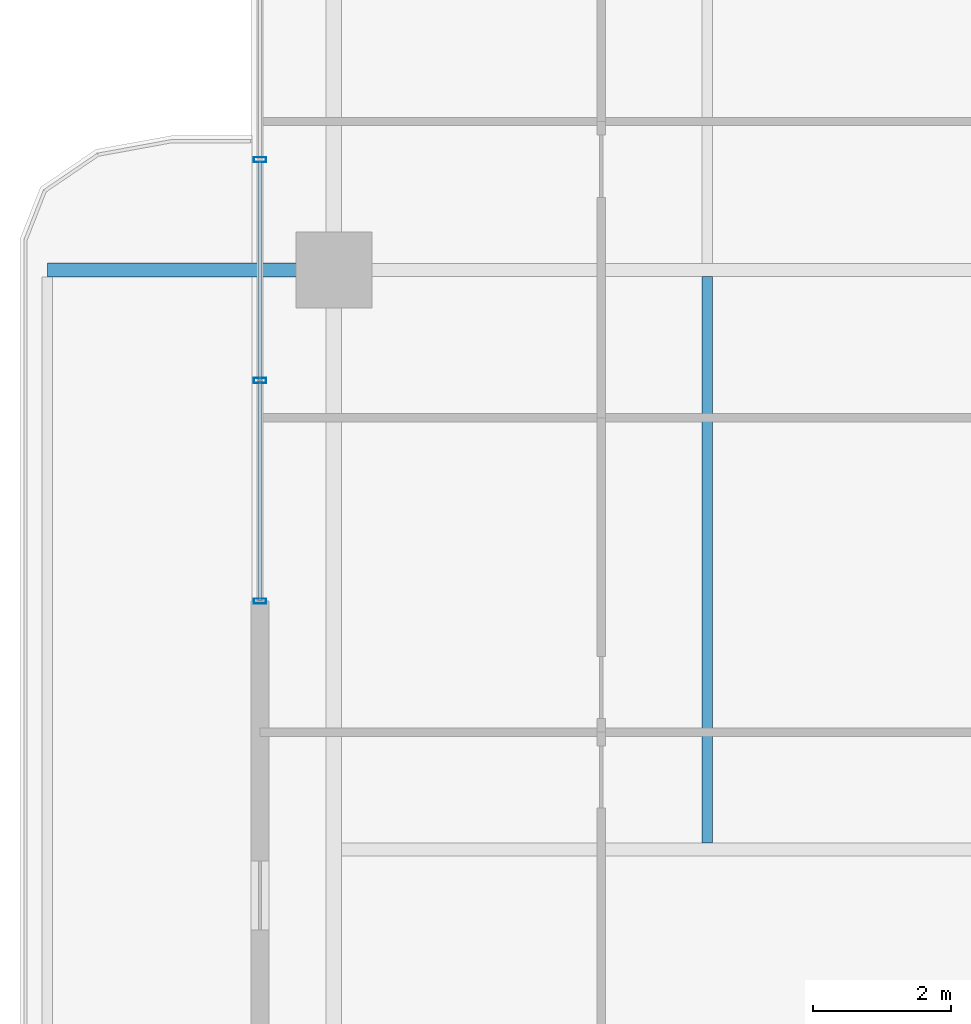
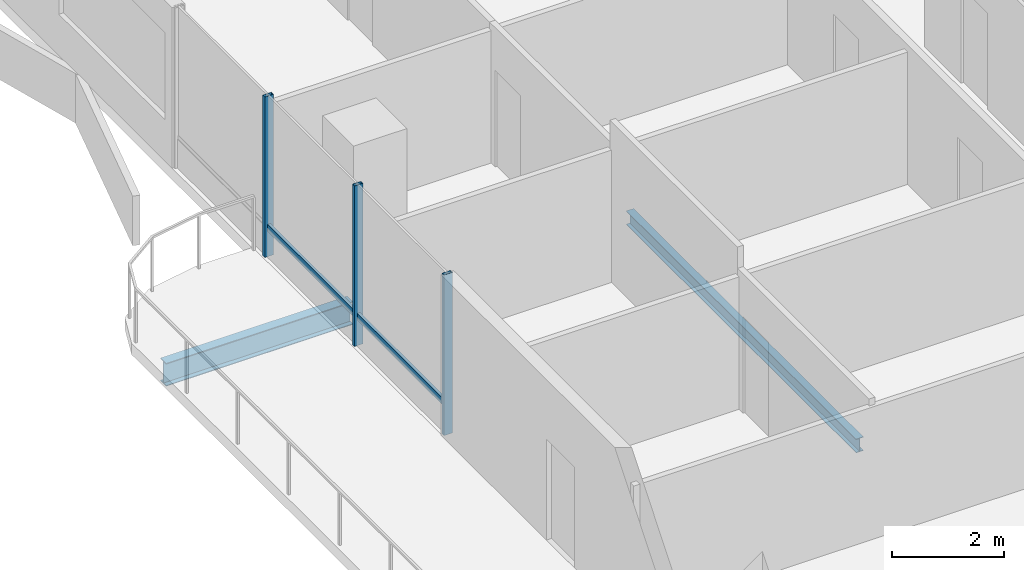
# One storey, part 4 of 24: 5 members, 2 beams, 1 element without a shape of its own.
"""IFC4 building model written with IfcOpenShell, lengths in metres."""

from ifc_helpers import new_model, si_unit, direction, frame, origin, origin_2d, place, context, subcontext, project, spatial, hollow_rectangle, i_section, extrude, material, layer, layer_set, material_profile, profile_set, type_object, element, aggregate, save


model = new_model("IFC4")

# Units and contexts
model_context = context("Model", 3, precision=1e-05, world=origin(), true_north=direction((0.0, 1.0)))
body_context = subcontext(model_context, "Body", "Model", "MODEL_VIEW")
ifc_project = project(units=[si_unit("LENGTHUNIT", "METRE"), si_unit("AREAUNIT", "SQUARE_METRE"), si_unit("VOLUMEUNIT", "CUBIC_METRE"), si_unit("PLANEANGLEUNIT", "RADIAN"), si_unit("MASSUNIT", "GRAM", prefix="KILO")], contexts=[model_context])

# Site, building, storey
site_placement = place(None, origin())
site = spatial("IfcSite", under=ifc_project, at=site_placement, CompositionType="ELEMENT")
building_placement = place(site_placement, origin())
building = spatial("IfcBuilding", under=site, at=building_placement, Name="Belovzor Exchange Tower", CompositionType="ELEMENT")
storey_placement = place(building_placement, frame((0.0, 0.0, 214.949951171875)))
storey = spatial("IfcBuildingStorey", under=building, at=storey_placement, Name="L53", CompositionType="ELEMENT", Elevation=214.949951171875)

# Beams
ifc_material_1 = material(Name="Steel S355", Category="steel")
ifc_material_profile_1 = material_profile(ifc_material_1, i_section(OverallWidth=0.199951171875, OverallDepth=0.5, WebThickness=0.01025390625, FlangeThickness=0.01611328125, at=origin_2d()))
ifc_profile_set_1 = profile_set([ifc_material_profile_1], Name="Steel S355")
beam_type_1 = type_object("IfcBeamType", Name="Planted Balcony Cantilever Beam IPE 500", PredefinedType="BEAM", material=ifc_profile_set_1)
beam_1_placement = place(storey_placement, frame((2.697021484375, 28.800048828125, -0.5), z_axis=(-1.0, 0.0, 0.0), x_axis=(0.0, -1.0, 0.0)))
element("IfcBeam", 1, at=beam_1_placement, inside=storey, type_object=beam_type_1, Name="BC-500 Planted Balcony Cantilever Beam IPE 500", PredefinedType="BEAM", context=body_context, shape_type="SweptSolid", body=[
    extrude(i_section(OverallWidth=0.199951171875, OverallDepth=0.5, WebThickness=0.01025390625, FlangeThickness=0.01611328125, at=origin_2d()), origin(), (0.0, 0.0, 1.0), 3.85009765625),
])
ifc_material_2 = material(Name="Steel S355", Category="steel")
ifc_material_profile_2 = material_profile(ifc_material_2, i_section(OverallWidth=0.14990234375, OverallDepth=0.300048828125, WebThickness=0.007080078125, FlangeThickness=0.0107421875, at=origin_2d()))
ifc_profile_set_2 = profile_set([ifc_material_profile_2], Name="Steel S355")
beam_type_2 = type_object("IfcBeamType", Name="Secondary Trim Floor Joist IPE 300", PredefinedType="BEAM", material=ifc_profile_set_2)
beam_2_placement = place(storey_placement, frame((8.4130859375, 20.4951171875, -0.39990234375), z_axis=(0.0, 1.0, 0.0), x_axis=(-1.0, 0.0, 0.0)))
element("IfcBeam", 2, at=beam_2_placement, inside=storey, type_object=beam_type_2, Name="FJ-300 Secondary Trim Floor Joist IPE 300", PredefinedType="BEAM", context=body_context, shape_type="SweptSolid", body=[
    extrude(i_section(OverallWidth=0.14990234375, OverallDepth=0.300048828125, WebThickness=0.007080078125, FlangeThickness=0.0107421875, at=origin_2d()), origin(), (0.0, 0.0, 1.0), 8.2099609375),
])

# Curtain wall, members
ifc_material_3 = material(Name="Anodised Aluminium Framing", Category="aluminium")
ifc_layer = layer(ifc_material_3, 0.179931640625)
ifc_layer_set = layer_set([ifc_layer], Name="Anodised Aluminium Framing")
curtain_wall_type = type_object("IfcCurtainWallType", Name="Recessed Loggia Low-Iron Triple-Glazed Curtain Wall", PredefinedType="NOTDEFINED", material=ifc_layer_set)
curtain_wall_placement = place(storey_placement, origin())
curtain_wall = element("IfcCurtainWall", 3, at=curtain_wall_placement, inside=storey, type_object=curtain_wall_type, Name="CW3 Recessed Loggia Low-Iron Triple-Glazed Curtain Wall L53", PredefinedType="NOTDEFINED")
ifc_material_4 = material(Name="Steel S355", Category="steel")
ifc_material_profile_3 = material_profile(ifc_material_4, hollow_rectangle(XDim=0.074951171875, YDim=0.179931640625, WallThickness=0.0048828125, at=origin_2d()))
ifc_profile_set_3 = profile_set([ifc_material_profile_3], Name="Steel S355")
member_type_1 = type_object("IfcMemberType", Name="Thermally Broken Curtain Wall Mullion 180x75", PredefinedType="MULLION", material=ifc_profile_set_3)
member_1_placement = place(storey_placement, frame((1.929931640625, 24.0, 0.0), z_axis=(0.0, 0.0, 1.0), x_axis=(0.0, 1.0, 0.0)))
member_1 = element("IfcMember", 4, at=member_1_placement, type_object=member_type_1, Name="CW-M180 Curtain Wall Mullion 1", PredefinedType="MULLION", context=body_context, shape_type="SweptSolid", body=[
    extrude(hollow_rectangle(XDim=0.074951171875, YDim=0.179931640625, WallThickness=0.0048828125, at=origin_2d()), origin(), (0.0, 0.0, 1.0), 3.5),
])
member_2_placement = place(storey_placement, frame((1.929931640625, 27.199951171875, 0.0), z_axis=(0.0, 0.0, 1.0), x_axis=(0.0, 1.0, 0.0)))
member_2 = element("IfcMember", 5, at=member_2_placement, type_object=member_type_1, Name="CW-M180 Curtain Wall Mullion 2", PredefinedType="MULLION", context=body_context, shape_type="SweptSolid", body=[
    extrude(hollow_rectangle(XDim=0.074951171875, YDim=0.179931640625, WallThickness=0.0048828125, at=origin_2d()), origin(), (0.0, 0.0, 1.0), 3.5),
])
member_3_placement = place(storey_placement, frame((1.929931640625, 30.39990234375, 0.0), z_axis=(0.0, 0.0, 1.0), x_axis=(0.0, 1.0, 0.0)))
member_3 = element("IfcMember", 6, at=member_3_placement, type_object=member_type_1, Name="CW-M180 Curtain Wall Mullion 3", PredefinedType="MULLION", context=body_context, shape_type="SweptSolid", body=[
    extrude(hollow_rectangle(XDim=0.074951171875, YDim=0.179931640625, WallThickness=0.0048828125, at=origin_2d()), origin(), (0.0, 0.0, 1.0), 3.5),
])
ifc_material_5 = material(Name="Steel S355", Category="steel")
ifc_material_profile_4 = material_profile(ifc_material_5, hollow_rectangle(XDim=0.06005859375, YDim=0.14990234375, WallThickness=0.00390625, at=origin_2d()))
ifc_profile_set_4 = profile_set([ifc_material_profile_4], Name="Steel S355")
member_type_2 = type_object("IfcMemberType", Name="Thermally Broken Curtain Wall Transom 150x60", PredefinedType="USERDEFINED", material=ifc_profile_set_4)
member_4_placement = place(storey_placement, frame((1.929931640625, 24.008056640625, 0.630126953125), z_axis=(0.0, 1.0, 0.0), x_axis=(-1.0, 0.0, 0.0)))
member_4 = element("IfcMember", 7, at=member_4_placement, type_object=member_type_2, Name="CW-T150 Curtain Wall Transom 1", ObjectType="TRANSOM", PredefinedType="USERDEFINED", context=body_context, shape_type="SweptSolid", body=[
    extrude(hollow_rectangle(XDim=0.06005859375, YDim=0.14990234375, WallThickness=0.00390625, at=origin_2d()), origin(), (0.0, 0.0, 1.0), 3.183837890625),
])
member_5_placement = place(storey_placement, frame((1.929931640625, 27.2080078125, 0.630126953125), z_axis=(0.0, 1.0, 0.0), x_axis=(-1.0, 0.0, 0.0)))
member_5 = element("IfcMember", 8, at=member_5_placement, type_object=member_type_2, Name="CW-T150 Curtain Wall Transom 2", ObjectType="TRANSOM", PredefinedType="USERDEFINED", context=body_context, shape_type="SweptSolid", body=[
    extrude(hollow_rectangle(XDim=0.06005859375, YDim=0.14990234375, WallThickness=0.00390625, at=origin_2d()), origin(), (0.0, 0.0, 1.0), 3.18408203125),
])
aggregate(curtain_wall, [member_1, member_2, member_3, member_4, member_5])

save(model, "model.ifc")
